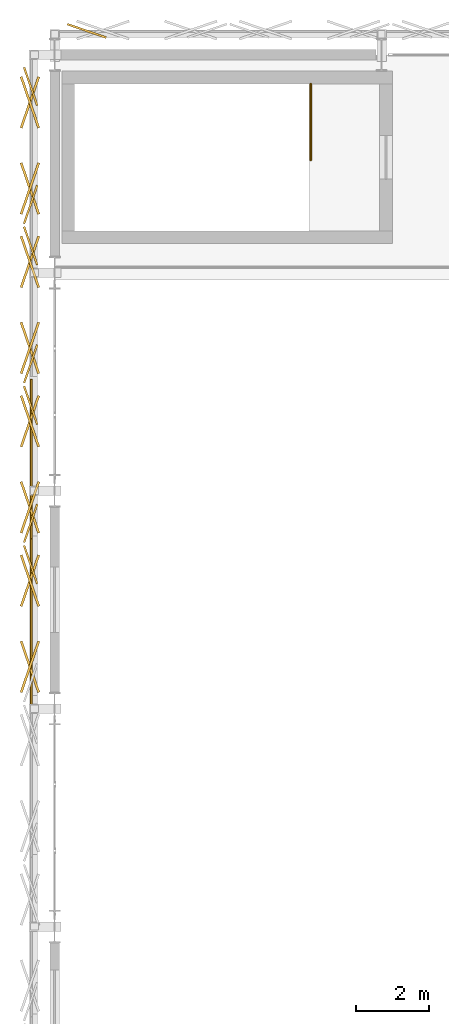
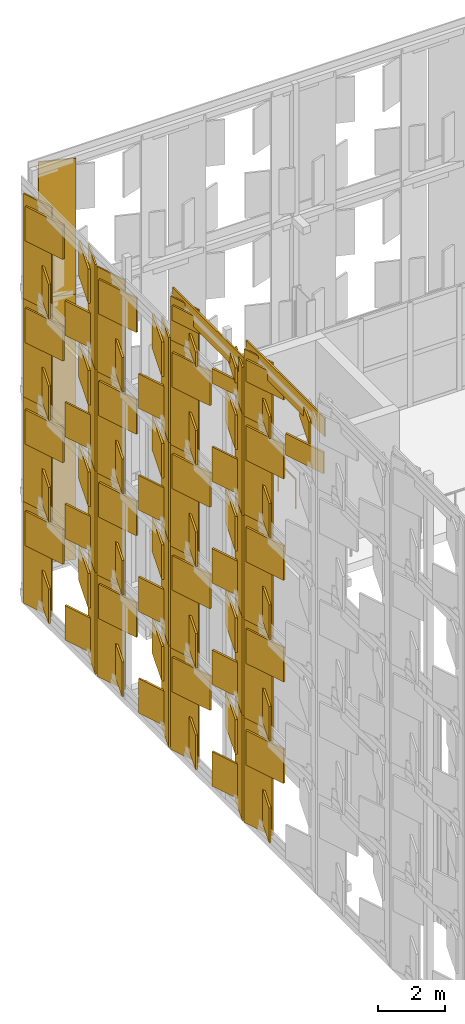
# One storey, part 194 of 210: 100 coverings, 1 railing.
"""IFC4 building model written with IfcOpenShell, lengths in metres."""

from ifc_helpers import new_model, si_unit, direction, frame, origin, origin_2d, place, context, subcontext, project, spatial, rectangle, circle, extrude, material, layer, layer_set, type_object, element, save


model = new_model("IFC4")

# Units and contexts
model_context = context("Model", 3, precision=1e-05, world=origin(), true_north=direction((0.0, 1.0)))
body_context = subcontext(model_context, "Body", "Model", "MODEL_VIEW")
ifc_project = project(units=[si_unit("LENGTHUNIT", "METRE"), si_unit("AREAUNIT", "SQUARE_METRE"), si_unit("VOLUMEUNIT", "CUBIC_METRE"), si_unit("PLANEANGLEUNIT", "RADIAN"), si_unit("MASSUNIT", "GRAM", prefix="KILO")], contexts=[model_context])

# Site, building, storey
site_placement = place(None, origin())
site = spatial("IfcSite", under=ifc_project, at=site_placement, CompositionType="ELEMENT")
building_placement = place(site_placement, origin())
building = spatial("IfcBuilding", under=site, at=building_placement, Name="Kaldris Quays Convention Centre", CompositionType="ELEMENT")
storey_placement = place(building_placement, frame((0.0, 0.0, 6.0)))
storey = spatial("IfcBuildingStorey", under=building, at=storey_placement, Name="L01", CompositionType="ELEMENT", Elevation=6.0)

# Railing
ifc_material_1 = material(Name="Steel S355J2", Category="steel")
railing_type = type_object("IfcRailingType", Name="INTERIOR GUARDRAIL GR01", PredefinedType="GUARDRAIL", material=ifc_material_1)
railing_placement = place(storey_placement, frame((27.050048828125, 139.199951171875, 0.0)))
element("IfcRailing", 1, at=railing_placement, inside=storey, type_object=railing_type, Name="L01 ST03 Top Well Guardrail 1", PredefinedType="GUARDRAIL", context=body_context, shape_type="SweptSolid", body=[
    extrude(circle(Radius=0.02392578125, at=origin_2d()), frame((0.0, 0.0, 1.076171875), z_axis=(0.0, -1.0, 0.0), x_axis=(1.0, 0.0, 0.0)), (0.0, 0.0, 1.0), 2.099853515625),
    extrude(circle(Radius=0.02099609375, at=origin_2d()), origin(), (0.0, 0.0, 1.0), 1.052001953125),
    extrude(circle(Radius=0.02099609375, at=origin_2d()), frame((0.0, -1.0498046875, 0.0)), (0.0, 0.0, 1.0), 1.052001953125),
    extrude(circle(Radius=0.02099609375, at=origin_2d()), frame((0.0, -2.099853515625, 0.0)), (0.0, 0.0, 1.0), 1.052001953125),
])

# Coverings
ifc_material_2 = material(Name="Alabaster white star-pierced anodized aluminium panel", Category="aluminium")
ifc_layer = layer(ifc_material_2, 0.044921875)
ifc_layer_set = layer_set([ifc_layer], Name="Alabaster white star-pierced anodized aluminium panel")
covering_type = type_object("IfcCoveringType", Name="STAR PIERCED WHITE FOLDED SCREEN CL01", PredefinedType="CLADDING", material=ifc_layer_set)
covering_1_placement = place(storey_placement, frame((19.35009765625, 124.3369140625, 14.47802734375), z_axis=(0.0, 0.0, 1.0), x_axis=(0.0, 1.0, 0.0)))
element("IfcCovering", 2, at=covering_1_placement, inside=storey, type_object=covering_type, Name="V1W Gable White Screen Cap Band 457", PredefinedType="CLADDING", context=body_context, shape_type="SweptSolid", body=[
    extrude(rectangle(XDim=4.68896484375, YDim=0.054931640625, at=origin_2d()), origin(), (0.0, 0.0, 1.0), 0.679931640625),
])
covering_2_placement = place(storey_placement, frame((19.340087890625, 125.9609375, -2.2099609375), z_axis=(0.0, 0.0, 1.0), x_axis=(-0.325568154457, 0.945518575599, 0.0)))
element("IfcCovering", 3, at=covering_2_placement, inside=storey, type_object=covering_type, Name="V1W Folded White Screen Stile 459", PredefinedType="CLADDING", context=body_context, shape_type="SweptSolid", body=[
    extrude(rectangle(XDim=1.114013671875, YDim=0.054931640625, at=origin_2d()), origin(), (0.0, 0.0, 1.0), 3.820068359375),
])
for number, where, z_axis, x_axis, name in (
    (4, (19.320068359375, 125.52197265625, -1.92822265625), (0.0, 0.0, 1.0), (0.325568154457, 0.945518575599, 0.0), "V1W Carved Star Corner Facet 462"),
    (5, (19.320068359375, 125.52197265625, 0.06982421875), (0.0, 0.0, 1.0), (-0.325568154457, 0.945518575599, 0.0), "V1W Carved Star Corner Facet 463"),
):
    element("IfcCovering", number, at=place(storey_placement, frame(where, z_axis=z_axis, x_axis=x_axis)), inside=storey, type_object=covering_type, Name=name, PredefinedType="CLADDING", context=body_context, shape_type="SweptSolid", body=[
        extrude(rectangle(XDim=1.491943359375, YDim=0.06494140625, at=origin_2d()), origin(), (0.0, 0.0, 1.0), 1.258056640625),
    ])
covering_3_placement = place(storey_placement, frame((19.340087890625, 125.9609375, 1.48974609375), z_axis=(0.0, 0.0, 1.0), x_axis=(-0.325568154457, 0.945518575599, 0.0)))
element("IfcCovering", 6, at=covering_3_placement, inside=storey, type_object=covering_type, Name="V1W Folded White Screen Stile 465", PredefinedType="CLADDING", context=body_context, shape_type="SweptSolid", body=[
    extrude(rectangle(XDim=1.114013671875, YDim=0.054931640625, at=origin_2d()), origin(), (0.0, 0.0, 1.0), 3.820068359375),
])
for number, where, z_axis, x_axis, name in (
    (7, (19.320068359375, 125.52197265625, 1.77197265625), (0.0, 0.0, 1.0), (0.325568154457, 0.945518575599, 0.0), "V1W Carved Star Corner Facet 468"),
    (8, (19.320068359375, 125.52197265625, 3.77001953125), (0.0, 0.0, 1.0), (-0.325568154457, 0.945518575599, 0.0), "V1W Carved Star Corner Facet 469"),
):
    element("IfcCovering", number, at=place(storey_placement, frame(where, z_axis=z_axis, x_axis=x_axis)), inside=storey, type_object=covering_type, Name=name, PredefinedType="CLADDING", context=body_context, shape_type="SweptSolid", body=[
        extrude(rectangle(XDim=1.491943359375, YDim=0.06494140625, at=origin_2d()), origin(), (0.0, 0.0, 1.0), 1.258056640625),
    ])
covering_4_placement = place(storey_placement, frame((19.340087890625, 125.9609375, 5.18994140625), z_axis=(0.0, 0.0, 1.0), x_axis=(-0.325568154457, 0.945518575599, 0.0)))
element("IfcCovering", 9, at=covering_4_placement, inside=storey, type_object=covering_type, Name="V1W Folded White Screen Stile 471", PredefinedType="CLADDING", context=body_context, shape_type="SweptSolid", body=[
    extrude(rectangle(XDim=1.114013671875, YDim=0.054931640625, at=origin_2d()), origin(), (0.0, 0.0, 1.0), 3.820068359375),
])
for number, where, z_axis, x_axis, name in (
    (10, (19.320068359375, 125.52197265625, 5.47216796875), (0.0, 0.0, 1.0), (0.325568154457, 0.945518575599, 0.0), "V1W Carved Star Corner Facet 474"),
    (11, (19.320068359375, 125.52197265625, 7.47021484375), (0.0, 0.0, 1.0), (-0.325568154457, 0.945518575599, 0.0), "V1W Carved Star Corner Facet 475"),
):
    element("IfcCovering", number, at=place(storey_placement, frame(where, z_axis=z_axis, x_axis=x_axis)), inside=storey, type_object=covering_type, Name=name, PredefinedType="CLADDING", context=body_context, shape_type="SweptSolid", body=[
        extrude(rectangle(XDim=1.491943359375, YDim=0.06494140625, at=origin_2d()), origin(), (0.0, 0.0, 1.0), 1.258056640625),
    ])
covering_5_placement = place(storey_placement, frame((19.340087890625, 125.9609375, 8.89013671875), z_axis=(0.0, 0.0, 1.0), x_axis=(-0.325568154457, 0.945518575599, 0.0)))
element("IfcCovering", 12, at=covering_5_placement, inside=storey, type_object=covering_type, Name="V1W Folded White Screen Stile 477", PredefinedType="CLADDING", context=body_context, shape_type="SweptSolid", body=[
    extrude(rectangle(XDim=1.114013671875, YDim=0.054931640625, at=origin_2d()), origin(), (0.0, 0.0, 1.0), 3.820068359375),
])
for number, where, z_axis, x_axis, name in (
    (13, (19.320068359375, 125.52197265625, 9.171875), (0.0, 0.0, 1.0), (0.325568154457, 0.945518575599, 0.0), "V1W Carved Star Corner Facet 480"),
    (14, (19.320068359375, 125.52197265625, 11.169921875), (0.0, 0.0, 1.0), (-0.325568154457, 0.945518575599, 0.0), "V1W Carved Star Corner Facet 481"),
):
    element("IfcCovering", number, at=place(storey_placement, frame(where, z_axis=z_axis, x_axis=x_axis)), inside=storey, type_object=covering_type, Name=name, PredefinedType="CLADDING", context=body_context, shape_type="SweptSolid", body=[
        extrude(rectangle(XDim=1.491943359375, YDim=0.06494140625, at=origin_2d()), origin(), (0.0, 0.0, 1.0), 1.258056640625),
    ])
covering_6_placement = place(storey_placement, frame((19.340087890625, 125.9609375, 12.590087890625), z_axis=(0.0, 0.0, 1.0), x_axis=(-0.325568154457, 0.945518575599, 0.0)))
element("IfcCovering", 15, at=covering_6_placement, inside=storey, type_object=covering_type, Name="V1W Folded White Screen Stile 483", PredefinedType="CLADDING", context=body_context, shape_type="SweptSolid", body=[
    extrude(rectangle(XDim=1.114013671875, YDim=0.054931640625, at=origin_2d()), origin(), (0.0, 0.0, 1.0), 2.43798828125),
])
for number, where, z_axis, x_axis, name in (
    (16, (19.320068359375, 123.151611328125, 12.7890625), (0.0, 0.0, 1.0), (-0.325568154457, 0.945518575599, 0.0), "V1W Carved Star Corner Facet 484"),
    (17, (19.320068359375, 123.151611328125, 14.040771484375), (0.0, 0.0, 1.0), (0.325568154457, 0.945518575599, 0.0), "V1W Carved Star Corner Facet 485"),
    (18, (19.320068359375, 125.52197265625, 12.7890625), (0.0, 0.0, 1.0), (0.325568154457, 0.945518575599, 0.0), "V1W Carved Star Corner Facet 486"),
    (19, (19.320068359375, 125.52197265625, 14.040771484375), (0.0, 0.0, 1.0), (-0.325568154457, 0.945518575599, 0.0), "V1W Carved Star Corner Facet 487"),
):
    element("IfcCovering", number, at=place(storey_placement, frame(where, z_axis=z_axis, x_axis=x_axis)), inside=storey, type_object=covering_type, Name=name, PredefinedType="CLADDING", context=body_context, shape_type="SweptSolid", body=[
        extrude(rectangle(XDim=1.491943359375, YDim=0.06494140625, at=origin_2d()), origin(), (0.0, 0.0, 1.0), 0.7880859375),
    ])
covering_7_placement = place(storey_placement, frame((19.35009765625, 128.726318359375, 13.74609375), z_axis=(0.0, 0.0, 1.0), x_axis=(0.0, 1.0, 0.0)))
element("IfcCovering", 20, at=covering_7_placement, inside=storey, type_object=covering_type, Name="V1W Gable White Screen Cap Band 488", PredefinedType="CLADDING", context=body_context, shape_type="SweptSolid", body=[
    extrude(rectangle(XDim=4.68896484375, YDim=0.054931640625, at=origin_2d()), origin(), (0.0, 0.0, 1.0), 0.679931640625),
])
for number, where, z_axis, x_axis, name in (
    (21, (19.340087890625, 127.102294921875, -2.2099609375), (0.0, 0.0, 1.0), (0.325568154457, 0.945518575599, 0.0), "V1W Folded White Screen Stile 489"),
    (22, (19.340087890625, 130.350341796875, -2.2099609375), (0.0, 0.0, 1.0), (-0.325568154457, 0.945518575599, 0.0), "V1W Folded White Screen Stile 490"),
):
    element("IfcCovering", number, at=place(storey_placement, frame(where, z_axis=z_axis, x_axis=x_axis)), inside=storey, type_object=covering_type, Name=name, PredefinedType="CLADDING", context=body_context, shape_type="SweptSolid", body=[
        extrude(rectangle(XDim=1.114013671875, YDim=0.054931640625, at=origin_2d()), origin(), (0.0, 0.0, 1.0), 3.820068359375),
    ])
for number, where, z_axis, x_axis, name in (
    (23, (19.320068359375, 127.541259765625, -1.92822265625), (0.0, 0.0, 1.0), (-0.325568154457, 0.945518575599, 0.0), "V1W Carved Star Corner Facet 491"),
    (24, (19.320068359375, 127.541259765625, 0.06982421875), (0.0, 0.0, 1.0), (0.325568154457, 0.945518575599, 0.0), "V1W Carved Star Corner Facet 492"),
    (25, (19.320068359375, 129.91162109375, -1.92822265625), (0.0, 0.0, 1.0), (0.325568154457, 0.945518575599, 0.0), "V1W Carved Star Corner Facet 493"),
    (26, (19.320068359375, 129.91162109375, 0.06982421875), (0.0, 0.0, 1.0), (-0.325568154457, 0.945518575599, 0.0), "V1W Carved Star Corner Facet 494"),
):
    element("IfcCovering", number, at=place(storey_placement, frame(where, z_axis=z_axis, x_axis=x_axis)), inside=storey, type_object=covering_type, Name=name, PredefinedType="CLADDING", context=body_context, shape_type="SweptSolid", body=[
        extrude(rectangle(XDim=1.491943359375, YDim=0.06494140625, at=origin_2d()), origin(), (0.0, 0.0, 1.0), 1.258056640625),
    ])
for number, where, z_axis, x_axis, name in (
    (27, (19.340087890625, 127.102294921875, 1.48974609375), (0.0, 0.0, 1.0), (0.325568154457, 0.945518575599, 0.0), "V1W Folded White Screen Stile 495"),
    (28, (19.340087890625, 130.350341796875, 1.48974609375), (0.0, 0.0, 1.0), (-0.325568154457, 0.945518575599, 0.0), "V1W Folded White Screen Stile 496"),
):
    element("IfcCovering", number, at=place(storey_placement, frame(where, z_axis=z_axis, x_axis=x_axis)), inside=storey, type_object=covering_type, Name=name, PredefinedType="CLADDING", context=body_context, shape_type="SweptSolid", body=[
        extrude(rectangle(XDim=1.114013671875, YDim=0.054931640625, at=origin_2d()), origin(), (0.0, 0.0, 1.0), 3.820068359375),
    ])
for number, where, z_axis, x_axis, name in (
    (29, (19.320068359375, 127.541259765625, 1.77197265625), (0.0, 0.0, 1.0), (-0.325568154457, 0.945518575599, 0.0), "V1W Carved Star Corner Facet 497"),
    (30, (19.320068359375, 127.541259765625, 3.77001953125), (0.0, 0.0, 1.0), (0.325568154457, 0.945518575599, 0.0), "V1W Carved Star Corner Facet 498"),
    (31, (19.320068359375, 129.91162109375, 1.77197265625), (0.0, 0.0, 1.0), (0.325568154457, 0.945518575599, 0.0), "V1W Carved Star Corner Facet 499"),
    (32, (19.320068359375, 129.91162109375, 3.77001953125), (0.0, 0.0, 1.0), (-0.325568154457, 0.945518575599, 0.0), "V1W Carved Star Corner Facet 500"),
):
    element("IfcCovering", number, at=place(storey_placement, frame(where, z_axis=z_axis, x_axis=x_axis)), inside=storey, type_object=covering_type, Name=name, PredefinedType="CLADDING", context=body_context, shape_type="SweptSolid", body=[
        extrude(rectangle(XDim=1.491943359375, YDim=0.06494140625, at=origin_2d()), origin(), (0.0, 0.0, 1.0), 1.258056640625),
    ])
for number, where, z_axis, x_axis, name in (
    (33, (19.340087890625, 127.102294921875, 5.18994140625), (0.0, 0.0, 1.0), (0.325568154457, 0.945518575599, 0.0), "V1W Folded White Screen Stile 501"),
    (34, (19.340087890625, 130.350341796875, 5.18994140625), (0.0, 0.0, 1.0), (-0.325568154457, 0.945518575599, 0.0), "V1W Folded White Screen Stile 502"),
):
    element("IfcCovering", number, at=place(storey_placement, frame(where, z_axis=z_axis, x_axis=x_axis)), inside=storey, type_object=covering_type, Name=name, PredefinedType="CLADDING", context=body_context, shape_type="SweptSolid", body=[
        extrude(rectangle(XDim=1.114013671875, YDim=0.054931640625, at=origin_2d()), origin(), (0.0, 0.0, 1.0), 3.820068359375),
    ])
for number, where, z_axis, x_axis, name in (
    (35, (19.320068359375, 127.541259765625, 5.47216796875), (0.0, 0.0, 1.0), (-0.325568154457, 0.945518575599, 0.0), "V1W Carved Star Corner Facet 503"),
    (36, (19.320068359375, 127.541259765625, 7.47021484375), (0.0, 0.0, 1.0), (0.325568154457, 0.945518575599, 0.0), "V1W Carved Star Corner Facet 504"),
    (37, (19.320068359375, 129.91162109375, 5.47216796875), (0.0, 0.0, 1.0), (0.325568154457, 0.945518575599, 0.0), "V1W Carved Star Corner Facet 505"),
    (38, (19.320068359375, 129.91162109375, 7.47021484375), (0.0, 0.0, 1.0), (-0.325568154457, 0.945518575599, 0.0), "V1W Carved Star Corner Facet 506"),
):
    element("IfcCovering", number, at=place(storey_placement, frame(where, z_axis=z_axis, x_axis=x_axis)), inside=storey, type_object=covering_type, Name=name, PredefinedType="CLADDING", context=body_context, shape_type="SweptSolid", body=[
        extrude(rectangle(XDim=1.491943359375, YDim=0.06494140625, at=origin_2d()), origin(), (0.0, 0.0, 1.0), 1.258056640625),
    ])
for number, where, z_axis, x_axis, name in (
    (39, (19.340087890625, 127.102294921875, 8.89013671875), (0.0, 0.0, 1.0), (0.325568154457, 0.945518575599, 0.0), "V1W Folded White Screen Stile 507"),
    (40, (19.340087890625, 130.350341796875, 8.89013671875), (0.0, 0.0, 1.0), (-0.325568154457, 0.945518575599, 0.0), "V1W Folded White Screen Stile 508"),
):
    element("IfcCovering", number, at=place(storey_placement, frame(where, z_axis=z_axis, x_axis=x_axis)), inside=storey, type_object=covering_type, Name=name, PredefinedType="CLADDING", context=body_context, shape_type="SweptSolid", body=[
        extrude(rectangle(XDim=1.114013671875, YDim=0.054931640625, at=origin_2d()), origin(), (0.0, 0.0, 1.0), 3.820068359375),
    ])
for number, where, z_axis, x_axis, name in (
    (41, (19.320068359375, 127.541259765625, 9.171875), (0.0, 0.0, 1.0), (-0.325568154457, 0.945518575599, 0.0), "V1W Carved Star Corner Facet 509"),
    (42, (19.320068359375, 127.541259765625, 11.169921875), (0.0, 0.0, 1.0), (0.325568154457, 0.945518575599, 0.0), "V1W Carved Star Corner Facet 510"),
    (43, (19.320068359375, 129.91162109375, 9.171875), (0.0, 0.0, 1.0), (0.325568154457, 0.945518575599, 0.0), "V1W Carved Star Corner Facet 511"),
    (44, (19.320068359375, 129.91162109375, 11.169921875), (0.0, 0.0, 1.0), (-0.325568154457, 0.945518575599, 0.0), "V1W Carved Star Corner Facet 512"),
):
    element("IfcCovering", number, at=place(storey_placement, frame(where, z_axis=z_axis, x_axis=x_axis)), inside=storey, type_object=covering_type, Name=name, PredefinedType="CLADDING", context=body_context, shape_type="SweptSolid", body=[
        extrude(rectangle(XDim=1.491943359375, YDim=0.06494140625, at=origin_2d()), origin(), (0.0, 0.0, 1.0), 1.258056640625),
    ])
for number, where, z_axis, x_axis, name in (
    (45, (19.340087890625, 127.102294921875, 12.590087890625), (0.0, 0.0, 1.0), (0.325568154457, 0.945518575599, 0.0), "V1W Folded White Screen Stile 513"),
    (46, (19.340087890625, 130.350341796875, 12.590087890625), (0.0, 0.0, 1.0), (-0.325568154457, 0.945518575599, 0.0), "V1W Folded White Screen Stile 514"),
):
    element("IfcCovering", number, at=place(storey_placement, frame(where, z_axis=z_axis, x_axis=x_axis)), inside=storey, type_object=covering_type, Name=name, PredefinedType="CLADDING", context=body_context, shape_type="SweptSolid", body=[
        extrude(rectangle(XDim=1.114013671875, YDim=0.054931640625, at=origin_2d()), origin(), (0.0, 0.0, 1.0), 1.7060546875),
    ])
for number, where, z_axis, x_axis, name in (
    (47, (19.320068359375, 127.541259765625, 12.745361328125), (0.0, 0.0, 1.0), (-0.325568154457, 0.945518575599, 0.0), "V1W Carved Star Corner Facet 515"),
    (48, (19.320068359375, 127.541259765625, 13.6015625), (0.0, 0.0, 1.0), (0.325568154457, 0.945518575599, 0.0), "V1W Carved Star Corner Facet 516"),
    (49, (19.320068359375, 129.91162109375, 12.745361328125), (0.0, 0.0, 1.0), (0.325568154457, 0.945518575599, 0.0), "V1W Carved Star Corner Facet 517"),
    (50, (19.320068359375, 129.91162109375, 13.6015625), (0.0, 0.0, 1.0), (-0.325568154457, 0.945518575599, 0.0), "V1W Carved Star Corner Facet 518"),
):
    element("IfcCovering", number, at=place(storey_placement, frame(where, z_axis=z_axis, x_axis=x_axis)), inside=storey, type_object=covering_type, Name=name, PredefinedType="CLADDING", context=body_context, shape_type="SweptSolid", body=[
        extrude(rectangle(XDim=1.491943359375, YDim=0.06494140625, at=origin_2d()), origin(), (0.0, 0.0, 1.0), 0.5390625),
    ])
for number, where, z_axis, x_axis, name in (
    (51, (19.340087890625, 131.49169921875, -2.2099609375), (0.0, 0.0, 1.0), (0.325568154457, 0.945518575599, 0.0), "V1W Folded White Screen Stile 519"),
    (52, (19.340087890625, 134.739990234375, -2.2099609375), (0.0, 0.0, 1.0), (-0.325568154457, 0.945518575599, 0.0), "V1W Folded White Screen Stile 520"),
):
    element("IfcCovering", number, at=place(storey_placement, frame(where, z_axis=z_axis, x_axis=x_axis)), inside=storey, type_object=covering_type, Name=name, PredefinedType="CLADDING", context=body_context, shape_type="SweptSolid", body=[
        extrude(rectangle(XDim=1.114013671875, YDim=0.054931640625, at=origin_2d()), origin(), (0.0, 0.0, 1.0), 3.820068359375),
    ])
for number, where, z_axis, x_axis, name in (
    (53, (19.320068359375, 131.9306640625, -1.92822265625), (0.0, 0.0, 1.0), (-0.325568154457, 0.945518575599, 0.0), "V1W Carved Star Corner Facet 521"),
    (54, (19.320068359375, 131.9306640625, 0.06982421875), (0.0, 0.0, 1.0), (0.325568154457, 0.945518575599, 0.0), "V1W Carved Star Corner Facet 522"),
    (55, (19.320068359375, 134.30078125, -1.92822265625), (0.0, 0.0, 1.0), (0.325568154457, 0.945518575599, 0.0), "V1W Carved Star Corner Facet 523"),
    (56, (19.320068359375, 134.30078125, 0.06982421875), (0.0, 0.0, 1.0), (-0.325568154457, 0.945518575599, 0.0), "V1W Carved Star Corner Facet 524"),
):
    element("IfcCovering", number, at=place(storey_placement, frame(where, z_axis=z_axis, x_axis=x_axis)), inside=storey, type_object=covering_type, Name=name, PredefinedType="CLADDING", context=body_context, shape_type="SweptSolid", body=[
        extrude(rectangle(XDim=1.491943359375, YDim=0.06494140625, at=origin_2d()), origin(), (0.0, 0.0, 1.0), 1.258056640625),
    ])
for number, where, z_axis, x_axis, name in (
    (57, (19.340087890625, 131.49169921875, 1.48974609375), (0.0, 0.0, 1.0), (0.325568154457, 0.945518575599, 0.0), "V1W Folded White Screen Stile 525"),
    (58, (19.340087890625, 134.739990234375, 1.48974609375), (0.0, 0.0, 1.0), (-0.325568154457, 0.945518575599, 0.0), "V1W Folded White Screen Stile 526"),
):
    element("IfcCovering", number, at=place(storey_placement, frame(where, z_axis=z_axis, x_axis=x_axis)), inside=storey, type_object=covering_type, Name=name, PredefinedType="CLADDING", context=body_context, shape_type="SweptSolid", body=[
        extrude(rectangle(XDim=1.114013671875, YDim=0.054931640625, at=origin_2d()), origin(), (0.0, 0.0, 1.0), 3.820068359375),
    ])
for number, where, z_axis, x_axis, name in (
    (59, (19.320068359375, 131.9306640625, 1.77197265625), (0.0, 0.0, 1.0), (-0.325568154457, 0.945518575599, 0.0), "V1W Carved Star Corner Facet 527"),
    (60, (19.320068359375, 131.9306640625, 3.77001953125), (0.0, 0.0, 1.0), (0.325568154457, 0.945518575599, 0.0), "V1W Carved Star Corner Facet 528"),
    (61, (19.320068359375, 134.30078125, 1.77197265625), (0.0, 0.0, 1.0), (0.325568154457, 0.945518575599, 0.0), "V1W Carved Star Corner Facet 529"),
    (62, (19.320068359375, 134.30078125, 3.77001953125), (0.0, 0.0, 1.0), (-0.325568154457, 0.945518575599, 0.0), "V1W Carved Star Corner Facet 530"),
):
    element("IfcCovering", number, at=place(storey_placement, frame(where, z_axis=z_axis, x_axis=x_axis)), inside=storey, type_object=covering_type, Name=name, PredefinedType="CLADDING", context=body_context, shape_type="SweptSolid", body=[
        extrude(rectangle(XDim=1.491943359375, YDim=0.06494140625, at=origin_2d()), origin(), (0.0, 0.0, 1.0), 1.258056640625),
    ])
for number, where, z_axis, x_axis, name in (
    (63, (19.340087890625, 131.49169921875, 5.18994140625), (0.0, 0.0, 1.0), (0.325568154457, 0.945518575599, 0.0), "V1W Folded White Screen Stile 531"),
    (64, (19.340087890625, 134.739990234375, 5.18994140625), (0.0, 0.0, 1.0), (-0.325568154457, 0.945518575599, 0.0), "V1W Folded White Screen Stile 532"),
):
    element("IfcCovering", number, at=place(storey_placement, frame(where, z_axis=z_axis, x_axis=x_axis)), inside=storey, type_object=covering_type, Name=name, PredefinedType="CLADDING", context=body_context, shape_type="SweptSolid", body=[
        extrude(rectangle(XDim=1.114013671875, YDim=0.054931640625, at=origin_2d()), origin(), (0.0, 0.0, 1.0), 3.820068359375),
    ])
for number, where, z_axis, x_axis, name in (
    (65, (19.320068359375, 131.9306640625, 5.47216796875), (0.0, 0.0, 1.0), (-0.325568154457, 0.945518575599, 0.0), "V1W Carved Star Corner Facet 533"),
    (66, (19.320068359375, 131.9306640625, 7.47021484375), (0.0, 0.0, 1.0), (0.325568154457, 0.945518575599, 0.0), "V1W Carved Star Corner Facet 534"),
    (67, (19.320068359375, 134.30078125, 5.47216796875), (0.0, 0.0, 1.0), (0.325568154457, 0.945518575599, 0.0), "V1W Carved Star Corner Facet 535"),
    (68, (19.320068359375, 134.30078125, 7.47021484375), (0.0, 0.0, 1.0), (-0.325568154457, 0.945518575599, 0.0), "V1W Carved Star Corner Facet 536"),
):
    element("IfcCovering", number, at=place(storey_placement, frame(where, z_axis=z_axis, x_axis=x_axis)), inside=storey, type_object=covering_type, Name=name, PredefinedType="CLADDING", context=body_context, shape_type="SweptSolid", body=[
        extrude(rectangle(XDim=1.491943359375, YDim=0.06494140625, at=origin_2d()), origin(), (0.0, 0.0, 1.0), 1.258056640625),
    ])
for number, where, z_axis, x_axis, name in (
    (69, (19.340087890625, 131.49169921875, 8.89013671875), (0.0, 0.0, 1.0), (0.325568154457, 0.945518575599, 0.0), "V1W Folded White Screen Stile 537"),
    (70, (19.340087890625, 134.739990234375, 8.89013671875), (0.0, 0.0, 1.0), (-0.325568154457, 0.945518575599, 0.0), "V1W Folded White Screen Stile 538"),
):
    element("IfcCovering", number, at=place(storey_placement, frame(where, z_axis=z_axis, x_axis=x_axis)), inside=storey, type_object=covering_type, Name=name, PredefinedType="CLADDING", context=body_context, shape_type="SweptSolid", body=[
        extrude(rectangle(XDim=1.114013671875, YDim=0.054931640625, at=origin_2d()), origin(), (0.0, 0.0, 1.0), 3.820068359375),
    ])
for number, where, z_axis, x_axis, name in (
    (71, (19.320068359375, 131.9306640625, 9.171875), (0.0, 0.0, 1.0), (-0.325568154457, 0.945518575599, 0.0), "V1W Carved Star Corner Facet 539"),
    (72, (19.320068359375, 131.9306640625, 11.169921875), (0.0, 0.0, 1.0), (0.325568154457, 0.945518575599, 0.0), "V1W Carved Star Corner Facet 540"),
    (73, (19.320068359375, 134.30078125, 9.171875), (0.0, 0.0, 1.0), (0.325568154457, 0.945518575599, 0.0), "V1W Carved Star Corner Facet 541"),
    (74, (19.320068359375, 134.30078125, 11.169921875), (0.0, 0.0, 1.0), (-0.325568154457, 0.945518575599, 0.0), "V1W Carved Star Corner Facet 542"),
):
    element("IfcCovering", number, at=place(storey_placement, frame(where, z_axis=z_axis, x_axis=x_axis)), inside=storey, type_object=covering_type, Name=name, PredefinedType="CLADDING", context=body_context, shape_type="SweptSolid", body=[
        extrude(rectangle(XDim=1.491943359375, YDim=0.06494140625, at=origin_2d()), origin(), (0.0, 0.0, 1.0), 1.258056640625),
    ])
for number, where, z_axis, x_axis, name in (
    (75, (19.340087890625, 135.881103515625, -2.2099609375), (0.0, 0.0, 1.0), (0.325568154457, 0.945518575599, 0.0), "V1W Folded White Screen Stile 543"),
    (76, (19.340087890625, 139.12939453125, -2.2099609375), (0.0, 0.0, 1.0), (-0.325568154457, 0.945518575599, 0.0), "V1W Folded White Screen Stile 544"),
):
    element("IfcCovering", number, at=place(storey_placement, frame(where, z_axis=z_axis, x_axis=x_axis)), inside=storey, type_object=covering_type, Name=name, PredefinedType="CLADDING", context=body_context, shape_type="SweptSolid", body=[
        extrude(rectangle(XDim=1.114013671875, YDim=0.054931640625, at=origin_2d()), origin(), (0.0, 0.0, 1.0), 3.820068359375),
    ])
for number, where, z_axis, x_axis, name in (
    (77, (19.320068359375, 136.320068359375, -1.92822265625), (0.0, 0.0, 1.0), (-0.325568154457, 0.945518575599, 0.0), "V1W Carved Star Corner Facet 545"),
    (78, (19.320068359375, 136.320068359375, 0.06982421875), (0.0, 0.0, 1.0), (0.325568154457, 0.945518575599, 0.0), "V1W Carved Star Corner Facet 546"),
    (79, (19.320068359375, 138.6904296875, -1.92822265625), (0.0, 0.0, 1.0), (0.325568154457, 0.945518575599, 0.0), "V1W Carved Star Corner Facet 547"),
    (80, (19.320068359375, 138.6904296875, 0.06982421875), (0.0, 0.0, 1.0), (-0.325568154457, 0.945518575599, 0.0), "V1W Carved Star Corner Facet 548"),
):
    element("IfcCovering", number, at=place(storey_placement, frame(where, z_axis=z_axis, x_axis=x_axis)), inside=storey, type_object=covering_type, Name=name, PredefinedType="CLADDING", context=body_context, shape_type="SweptSolid", body=[
        extrude(rectangle(XDim=1.491943359375, YDim=0.06494140625, at=origin_2d()), origin(), (0.0, 0.0, 1.0), 1.258056640625),
    ])
for number, where, z_axis, x_axis, name in (
    (81, (19.340087890625, 135.881103515625, 1.48974609375), (0.0, 0.0, 1.0), (0.325568154457, 0.945518575599, 0.0), "V1W Folded White Screen Stile 549"),
    (82, (19.340087890625, 139.12939453125, 1.48974609375), (0.0, 0.0, 1.0), (-0.325568154457, 0.945518575599, 0.0), "V1W Folded White Screen Stile 550"),
):
    element("IfcCovering", number, at=place(storey_placement, frame(where, z_axis=z_axis, x_axis=x_axis)), inside=storey, type_object=covering_type, Name=name, PredefinedType="CLADDING", context=body_context, shape_type="SweptSolid", body=[
        extrude(rectangle(XDim=1.114013671875, YDim=0.054931640625, at=origin_2d()), origin(), (0.0, 0.0, 1.0), 3.820068359375),
    ])
for number, where, z_axis, x_axis, name in (
    (83, (19.320068359375, 136.320068359375, 1.77197265625), (0.0, 0.0, 1.0), (-0.325568154457, 0.945518575599, 0.0), "V1W Carved Star Corner Facet 551"),
    (84, (19.320068359375, 136.320068359375, 3.77001953125), (0.0, 0.0, 1.0), (0.325568154457, 0.945518575599, 0.0), "V1W Carved Star Corner Facet 552"),
    (85, (19.320068359375, 138.6904296875, 1.77197265625), (0.0, 0.0, 1.0), (0.325568154457, 0.945518575599, 0.0), "V1W Carved Star Corner Facet 553"),
    (86, (19.320068359375, 138.6904296875, 3.77001953125), (0.0, 0.0, 1.0), (-0.325568154457, 0.945518575599, 0.0), "V1W Carved Star Corner Facet 554"),
):
    element("IfcCovering", number, at=place(storey_placement, frame(where, z_axis=z_axis, x_axis=x_axis)), inside=storey, type_object=covering_type, Name=name, PredefinedType="CLADDING", context=body_context, shape_type="SweptSolid", body=[
        extrude(rectangle(XDim=1.491943359375, YDim=0.06494140625, at=origin_2d()), origin(), (0.0, 0.0, 1.0), 1.258056640625),
    ])
for number, where, z_axis, x_axis, name in (
    (87, (19.340087890625, 135.881103515625, 5.18994140625), (0.0, 0.0, 1.0), (0.325568154457, 0.945518575599, 0.0), "V1W Folded White Screen Stile 555"),
    (88, (19.340087890625, 139.12939453125, 5.18994140625), (0.0, 0.0, 1.0), (-0.325568154457, 0.945518575599, 0.0), "V1W Folded White Screen Stile 556"),
):
    element("IfcCovering", number, at=place(storey_placement, frame(where, z_axis=z_axis, x_axis=x_axis)), inside=storey, type_object=covering_type, Name=name, PredefinedType="CLADDING", context=body_context, shape_type="SweptSolid", body=[
        extrude(rectangle(XDim=1.114013671875, YDim=0.054931640625, at=origin_2d()), origin(), (0.0, 0.0, 1.0), 3.820068359375),
    ])
for number, where, z_axis, x_axis, name in (
    (89, (19.320068359375, 136.320068359375, 5.47216796875), (0.0, 0.0, 1.0), (-0.325568154457, 0.945518575599, 0.0), "V1W Carved Star Corner Facet 557"),
    (90, (19.320068359375, 136.320068359375, 7.47021484375), (0.0, 0.0, 1.0), (0.325568154457, 0.945518575599, 0.0), "V1W Carved Star Corner Facet 558"),
    (91, (19.320068359375, 138.6904296875, 5.47216796875), (0.0, 0.0, 1.0), (0.325568154457, 0.945518575599, 0.0), "V1W Carved Star Corner Facet 559"),
    (92, (19.320068359375, 138.6904296875, 7.47021484375), (0.0, 0.0, 1.0), (-0.325568154457, 0.945518575599, 0.0), "V1W Carved Star Corner Facet 560"),
):
    element("IfcCovering", number, at=place(storey_placement, frame(where, z_axis=z_axis, x_axis=x_axis)), inside=storey, type_object=covering_type, Name=name, PredefinedType="CLADDING", context=body_context, shape_type="SweptSolid", body=[
        extrude(rectangle(XDim=1.491943359375, YDim=0.06494140625, at=origin_2d()), origin(), (0.0, 0.0, 1.0), 1.258056640625),
    ])
for number, where, z_axis, x_axis, name in (
    (93, (19.340087890625, 135.881103515625, 8.89013671875), (0.0, 0.0, 1.0), (0.325568154457, 0.945518575599, 0.0), "V1W Folded White Screen Stile 561"),
    (94, (19.340087890625, 139.12939453125, 8.89013671875), (0.0, 0.0, 1.0), (-0.325568154457, 0.945518575599, 0.0), "V1W Folded White Screen Stile 562"),
):
    element("IfcCovering", number, at=place(storey_placement, frame(where, z_axis=z_axis, x_axis=x_axis)), inside=storey, type_object=covering_type, Name=name, PredefinedType="CLADDING", context=body_context, shape_type="SweptSolid", body=[
        extrude(rectangle(XDim=1.114013671875, YDim=0.054931640625, at=origin_2d()), origin(), (0.0, 0.0, 1.0), 3.820068359375),
    ])
for number, where, z_axis, x_axis, name in (
    (95, (19.320068359375, 136.320068359375, 9.171875), (0.0, 0.0, 1.0), (-0.325568154457, 0.945518575599, 0.0), "V1W Carved Star Corner Facet 563"),
    (96, (19.320068359375, 136.320068359375, 11.169921875), (0.0, 0.0, 1.0), (0.325568154457, 0.945518575599, 0.0), "V1W Carved Star Corner Facet 564"),
    (97, (19.320068359375, 138.6904296875, 9.171875), (0.0, 0.0, 1.0), (0.325568154457, 0.945518575599, 0.0), "V1W Carved Star Corner Facet 565"),
    (98, (19.320068359375, 138.6904296875, 11.169921875), (0.0, 0.0, 1.0), (-0.325568154457, 0.945518575599, 0.0), "V1W Carved Star Corner Facet 566"),
):
    element("IfcCovering", number, at=place(storey_placement, frame(where, z_axis=z_axis, x_axis=x_axis)), inside=storey, type_object=covering_type, Name=name, PredefinedType="CLADDING", context=body_context, shape_type="SweptSolid", body=[
        extrude(rectangle(XDim=1.491943359375, YDim=0.06494140625, at=origin_2d()), origin(), (0.0, 0.0, 1.0), 1.258056640625),
    ])
covering_8_placement = place(storey_placement, frame((20.882080078125, 140.659912109375, -1.91015625), z_axis=(0.0, 0.0, 1.0), x_axis=(0.945518575599, -0.325568154457, 0.0)))
element("IfcCovering", 99, at=covering_8_placement, inside=storey, type_object=covering_type, Name="V1N Folded White Screen Stile 571", PredefinedType="CLADDING", context=body_context, shape_type="SweptSolid", body=[
    extrude(rectangle(XDim=1.136962890625, YDim=0.054931640625, at=origin_2d()), origin(), (0.0, 0.0, 1.0), 4.952880859375),
])
covering_9_placement = place(storey_placement, frame((20.882080078125, 140.659912109375, 2.9228515625), z_axis=(0.0, 0.0, 1.0), x_axis=(0.945518575599, -0.325568154457, 0.0)))
element("IfcCovering", 100, at=covering_9_placement, inside=storey, type_object=covering_type, Name="V1N Folded White Screen Stile 577", PredefinedType="CLADDING", context=body_context, shape_type="SweptSolid", body=[
    extrude(rectangle(XDim=1.136962890625, YDim=0.054931640625, at=origin_2d()), origin(), (0.0, 0.0, 1.0), 4.9541015625),
])
covering_10_placement = place(storey_placement, frame((20.882080078125, 140.659912109375, 7.7568359375), z_axis=(0.0, 0.0, 1.0), x_axis=(0.945518575599, -0.325568154457, 0.0)))
element("IfcCovering", 101, at=covering_10_placement, inside=storey, type_object=covering_type, Name="V1N Folded White Screen Stile 583", PredefinedType="CLADDING", context=body_context, shape_type="SweptSolid", body=[
    extrude(rectangle(XDim=1.136962890625, YDim=0.054931640625, at=origin_2d()), origin(), (0.0, 0.0, 1.0), 4.952880859375),
])

save(model, "model.ifc")
